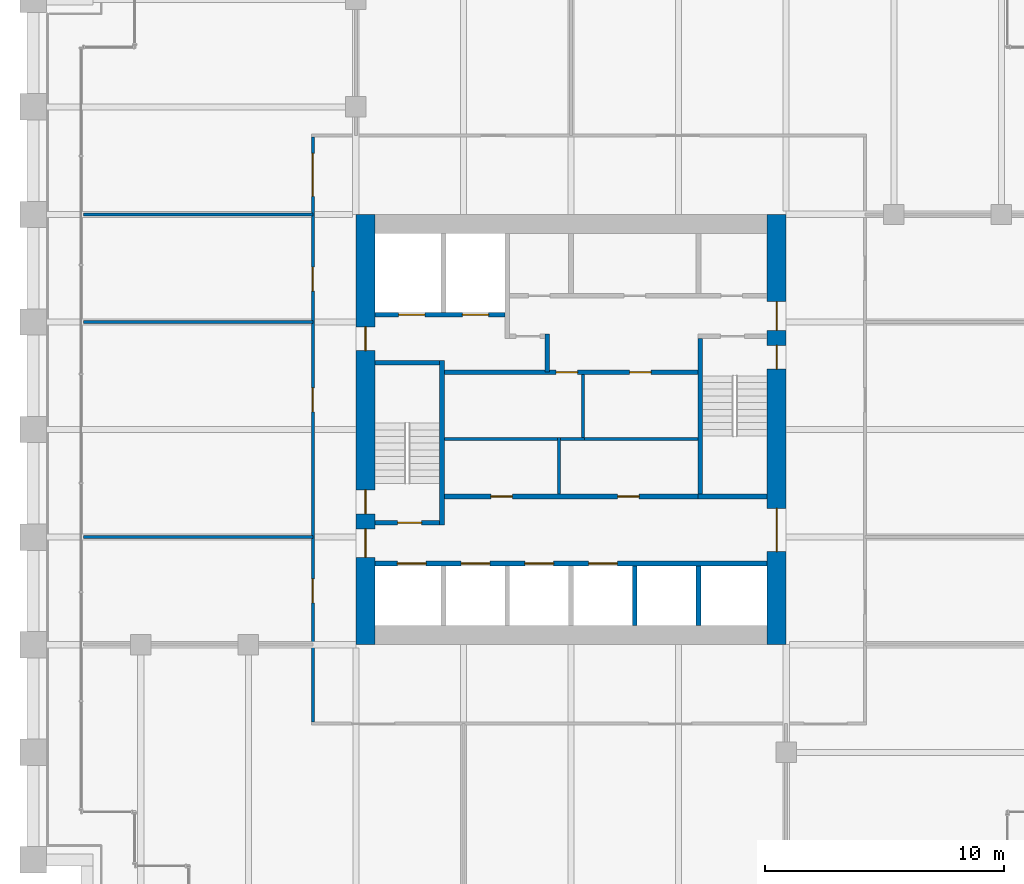
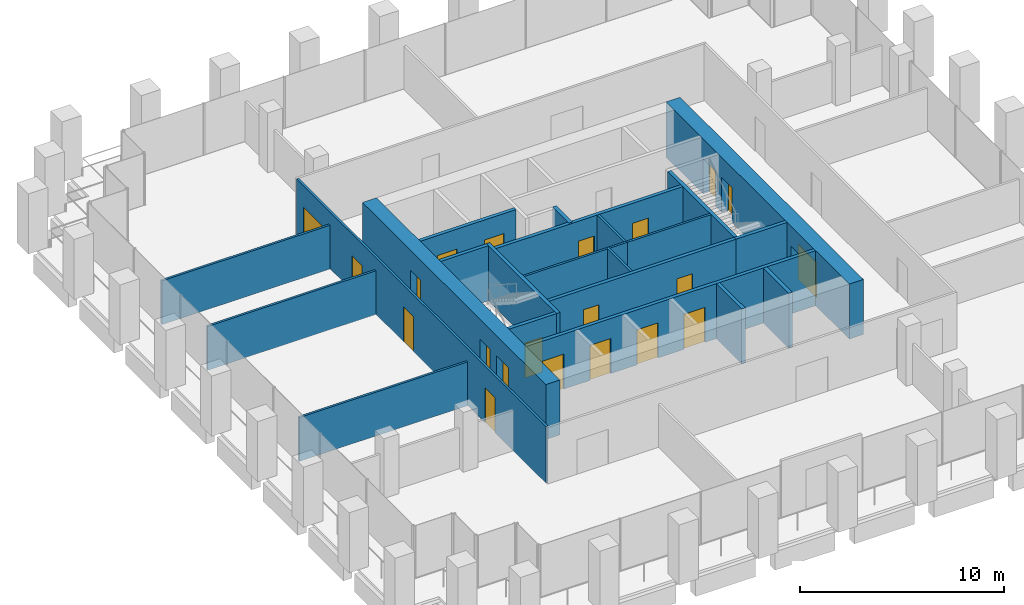
# One storey, part 50 of 56: 23 walls, 21 doors, 21 openings.
"""IFC4 building model written with IfcOpenShell, lengths in metres."""

from ifc_helpers import new_model, si_unit, direction, frame, frame_2d, origin, place, context, subcontext, project, spatial, rectangle, extrude, material, layer, layer_set, type_object, element, fill, save


model = new_model("IFC4")

# Units and contexts
model_context = context("Model", 3, precision=1e-05, world=origin(), true_north=direction((0.0, 1.0)))
body_context = subcontext(model_context, "Body", "Model", "MODEL_VIEW")
ifc_project = project(units=[si_unit("LENGTHUNIT", "METRE"), si_unit("AREAUNIT", "SQUARE_METRE"), si_unit("VOLUMEUNIT", "CUBIC_METRE"), si_unit("PLANEANGLEUNIT", "RADIAN"), si_unit("MASSUNIT", "GRAM", prefix="KILO")], contexts=[model_context])

# Site, building, storey
site_placement = place(None, origin())
site = spatial("IfcSite", under=ifc_project, at=site_placement, CompositionType="ELEMENT")
building_placement = place(site_placement, origin())
building = spatial("IfcBuilding", under=site, at=building_placement, Name="Altepetl Exchange Towers", CompositionType="ELEMENT")
storey_placement = place(building_placement, frame((0.0, 0.0, 83.39990234375)))
storey = spatial("IfcBuildingStorey", under=building, at=storey_placement, Name="L20", CompositionType="ELEMENT", Elevation=83.39990234375)

# Wall, openings, doors
ifc_material_1 = material(Name="Concrete C70/85", Category="concrete")
ifc_layer_1 = layer(ifc_material_1, 0.800048828125)
ifc_layer_set_1 = layer_set([ifc_layer_1], Name="Concrete C70/85")
wall_type_1 = type_object("IfcWallType", Name="Core wall 800 reinforced concrete", PredefinedType="SHEAR", material=ifc_layer_set_1)
wall_1_placement = place(storey_placement, frame((58.10009765625, 40.5, 0.0), z_axis=(0.0, 0.0, 1.0), x_axis=(0.0, 1.0, 0.0)))
wall_1 = element("IfcWall", 1, at=wall_1_placement, inside=storey, type_object=wall_type_1, Name="wall:A:L20:K-coreE", PredefinedType="SHEAR", context=body_context, shape_type="SweptSolid", body=[
    extrude(rectangle(XDim=18.0, YDim=0.800048828125, at=frame_2d((9.0, 0.0))), origin(), (0.0, 0.0, 1.0), 3.300048828125),
])
opening_1_placement = place(wall_1_placement, frame((13.14990234375, 0.0, 0.0)))
opening_1 = element("IfcOpeningElement", 2, at=opening_1_placement, cuts=wall_1, Name="Opening L20.A60", PredefinedType="OPENING", context=body_context, shape_type="SweptSolid", body=[
    extrude(rectangle(XDim=1.199951171875, YDim=2.10009765625, at=frame_2d((0.60009765625, 1.050048828125))), frame((0.0, 0.41015625, 0.0), z_axis=(0.0, -1.0, 0.0), x_axis=(1.0, 0.0, 0.0)), (0.0, 0.0, 1.0), 0.820068359375),
])
opening_2_placement = place(wall_1_placement, frame((3.89990234375, 0.0, 0.0)))
opening_2 = element("IfcOpeningElement", 3, at=opening_2_placement, cuts=wall_1, Name="Opening L20.A61", PredefinedType="OPENING", context=body_context, shape_type="SweptSolid", body=[
    extrude(rectangle(XDim=1.800048828125, YDim=2.10009765625, at=frame_2d((0.89990234375, 1.050048828125))), frame((0.0, 0.41015625, 0.0), z_axis=(0.0, -1.0, 0.0), x_axis=(1.0, 0.0, 0.0)), (0.0, 0.0, 1.0), 0.820068359375),
])
opening_3_placement = place(wall_1_placement, frame((11.52490234375, 0.0, 0.0)))
opening_3 = element("IfcOpeningElement", 4, at=opening_3_placement, cuts=wall_1, Name="Opening L20.A66", PredefinedType="OPENING", context=body_context, shape_type="SweptSolid", body=[
    extrude(rectangle(XDim=1.0, YDim=2.10009765625, at=frame_2d((0.5, 1.050048828125))), frame((0.0, 0.41015625, 0.0), z_axis=(0.0, -1.0, 0.0), x_axis=(1.0, 0.0, 0.0)), (0.0, 0.0, 1.0), 0.820068359375),
])
ifc_material_2 = material(Name="Steel and timber fire door", Category="steel")
door_type_1 = type_object("IfcDoorType", Name="Fire door 1000 x 2100 stair and lobby", OperationType="SINGLE_SWING_LEFT", PredefinedType="DOOR", material=ifc_material_2)
door_1_placement = place(opening_3_placement, origin())
door_1 = element("IfcDoor", 5, at=door_1_placement, inside=storey, type_object=door_type_1, Name="door:A:L20:K-dS2x", OperationType="SINGLE_SWING_RIGHT", OverallHeight=2.10009765625, OverallWidth=1.0, PredefinedType="DOOR", context=body_context, shape_type="SweptSolid", body=[
    extrude(rectangle(XDim=1.0, YDim=2.10009765625, at=frame_2d((0.5, 1.050048828125))), frame((0.0, 0.02490234375, 0.0), z_axis=(0.0, -1.0, 0.0), x_axis=(1.0, 0.0, 0.0)), (0.0, 0.0, 1.0), 0.050048828125),
])
fill(opening_3, door_1)
door_type_2 = type_object("IfcDoorType", Name="Fire door 1200 x 2100 lobby entry", OperationType="SINGLE_SWING_LEFT", PredefinedType="DOOR", material=ifc_material_2)
door_2_placement = place(opening_1_placement, origin())
door_2 = element("IfcDoor", 6, at=door_2_placement, inside=storey, type_object=door_type_2, Name="door:A:L20:K-dLNE", OperationType="SINGLE_SWING_RIGHT", OverallHeight=2.10009765625, OverallWidth=1.199951171875, PredefinedType="DOOR", context=body_context, shape_type="SweptSolid", body=[
    extrude(rectangle(XDim=1.199951171875, YDim=2.10009765625, at=frame_2d((0.60009765625, 1.050048828125))), frame((0.0, 0.02490234375, 0.0), z_axis=(0.0, -1.0, 0.0), x_axis=(1.0, 0.0, 0.0)), (0.0, 0.0, 1.0), 0.050048828125),
])
fill(opening_1, door_2)
door_type_3 = type_object("IfcDoorType", Name="Fire door 1800 x 2100 lobby entry", OperationType="DOUBLE_DOOR_SINGLE_SWING", PredefinedType="DOOR", material=ifc_material_2)
door_3_placement = place(opening_2_placement, origin())
door_3 = element("IfcDoor", 7, at=door_3_placement, inside=storey, type_object=door_type_3, Name="door:A:L20:K-dLSE", OperationType="DOUBLE_DOOR_SINGLE_SWING", OverallHeight=2.10009765625, OverallWidth=1.800048828125, PredefinedType="DOOR", context=body_context, shape_type="SweptSolid", body=[
    extrude(rectangle(XDim=1.800048828125, YDim=2.10009765625, at=frame_2d((0.89990234375, 1.050048828125))), frame((0.0, 0.02490234375, 0.0), z_axis=(0.0, -1.0, 0.0), x_axis=(1.0, 0.0, 0.0)), (0.0, 0.0, 1.0), 0.050048828125),
])
fill(opening_2, door_3)

wall_2_placement = place(storey_placement, frame((40.89990234375, 40.5, 0.0), z_axis=(0.0, 0.0, 1.0), x_axis=(0.0, 1.0, 0.0)))
wall_2 = element("IfcWall", 8, at=wall_2_placement, inside=storey, type_object=wall_type_1, Name="wall:A:L20:K-coreW", PredefinedType="SHEAR", context=body_context, shape_type="SweptSolid", body=[
    extrude(rectangle(XDim=18.0, YDim=0.800048828125, at=frame_2d((9.0, 0.0))), origin(), (0.0, 0.0, 1.0), 3.300048828125),
])
opening_4_placement = place(wall_2_placement, frame((3.64990234375, 0.0, 0.0)))
opening_4 = element("IfcOpeningElement", 9, at=opening_4_placement, cuts=wall_2, Name="Opening L20.A62", PredefinedType="OPENING", context=body_context, shape_type="SweptSolid", body=[
    extrude(rectangle(XDim=1.199951171875, YDim=2.10009765625, at=frame_2d((0.60009765625, 1.050048828125))), frame((0.0, 0.41015625, 0.0), z_axis=(0.0, -1.0, 0.0), x_axis=(1.0, 0.0, 0.0)), (0.0, 0.0, 1.0), 0.820068359375),
])
opening_5_placement = place(wall_2_placement, frame((5.47509765625, 0.0, 0.0)))
opening_5 = element("IfcOpeningElement", 10, at=opening_5_placement, cuts=wall_2, Name="Opening L20.A64", PredefinedType="OPENING", context=body_context, shape_type="SweptSolid", body=[
    extrude(rectangle(XDim=1.0, YDim=2.10009765625, at=frame_2d((0.5, 1.050048828125))), frame((0.0, 0.41015625, 0.0), z_axis=(0.0, -1.0, 0.0), x_axis=(1.0, 0.0, 0.0)), (0.0, 0.0, 1.0), 0.820068359375),
])
opening_6_placement = place(wall_2_placement, frame((12.300048828125, 0.0, 0.0)))
opening_6 = element("IfcOpeningElement", 11, at=opening_6_placement, cuts=wall_2, Name="Opening L20.A68", PredefinedType="OPENING", context=body_context, shape_type="SweptSolid", body=[
    extrude(rectangle(XDim=1.0, YDim=2.10009765625, at=frame_2d((0.5, 1.050048828125))), frame((0.0, 0.41015625, 0.0), z_axis=(0.0, -1.0, 0.0), x_axis=(1.0, 0.0, 0.0)), (0.0, 0.0, 1.0), 0.820068359375),
])
door_4_placement = place(opening_5_placement, frame((1.0, 0.0, 0.0), x_axis=(-1.0, 0.0, 0.0)))
door_4 = element("IfcDoor", 12, at=door_4_placement, inside=storey, type_object=door_type_1, Name="door:A:L20:K-dS1x", OperationType="SINGLE_SWING_RIGHT", OverallHeight=2.10009765625, OverallWidth=1.0, PredefinedType="DOOR", context=body_context, shape_type="SweptSolid", body=[
    extrude(rectangle(XDim=1.0, YDim=2.10009765625, at=frame_2d((0.5, 1.050048828125))), frame((0.0, 0.02490234375, 0.0), z_axis=(0.0, -1.0, 0.0), x_axis=(1.0, 0.0, 0.0)), (0.0, 0.0, 1.0), 0.050048828125),
])
fill(opening_5, door_4)
door_5_placement = place(opening_6_placement, frame((1.0, 0.0, 0.0), x_axis=(-1.0, 0.0, 0.0)))
door_5 = element("IfcDoor", 13, at=door_5_placement, inside=storey, type_object=door_type_1, Name="door:A:L20:K-dffW", OperationType="SINGLE_SWING_LEFT", OverallHeight=2.10009765625, OverallWidth=1.0, PredefinedType="DOOR", context=body_context, shape_type="SweptSolid", body=[
    extrude(rectangle(XDim=1.0, YDim=2.10009765625, at=frame_2d((0.5, 1.050048828125))), frame((0.0, 0.02490234375, 0.0), z_axis=(0.0, -1.0, 0.0), x_axis=(1.0, 0.0, 0.0)), (0.0, 0.0, 1.0), 0.050048828125),
])
fill(opening_6, door_5)
door_6_placement = place(opening_4_placement, frame((1.199951171875, 0.0, 0.0), x_axis=(-1.0, 0.0, 0.0)))
door_6 = element("IfcDoor", 14, at=door_6_placement, inside=storey, type_object=door_type_2, Name="door:A:L20:K-dLSW", OperationType="SINGLE_SWING_LEFT", OverallHeight=2.10009765625, OverallWidth=1.199951171875, PredefinedType="DOOR", context=body_context, shape_type="SweptSolid", body=[
    extrude(rectangle(XDim=1.199951171875, YDim=2.10009765625, at=frame_2d((0.60009765625, 1.050048828125))), frame((0.0, 0.02490234375, 0.0), z_axis=(0.0, -1.0, 0.0), x_axis=(1.0, 0.0, 0.0)), (0.0, 0.0, 1.0), 0.050048828125),
])
fill(opening_4, door_6)

# Wall
ifc_material_3 = material(Name="Concrete blockwork", Category="masonry")
ifc_layer_2 = layer(ifc_material_3, 0.199951171875)
ifc_layer_set_2 = layer_set([ifc_layer_2], Name="Concrete blockwork")
wall_type_2 = type_object("IfcWallType", Name="Lobby wall 200 blockwork", PredefinedType="PARTITIONING", material=ifc_layer_set_2)
wall_3_placement = place(storey_placement, frame((48.5, 51.89990234375, 0.0), z_axis=(0.0, 0.0, 1.0), x_axis=(0.0, 1.0, 0.0)))
element("IfcWall", 15, at=wall_3_placement, inside=storey, type_object=wall_type_2, Name="wall:A:L20:K-ffE", PredefinedType="PARTITIONING", context=body_context, shape_type="SweptSolid", body=[
    extrude(rectangle(XDim=1.60009765625, YDim=0.199951171875, at=frame_2d((0.800048828125, 0.0))), origin(), (0.0, 0.0, 1.0), 3.300048828125),
])

# Wall, openings, doors
wall_4_placement = place(storey_placement, frame((44.199951171875, 51.89990234375, 0.0)))
wall_4 = element("IfcWall", 16, at=wall_4_placement, inside=storey, type_object=wall_type_2, Name="wall:A:L20:K-zoneN", PredefinedType="PARTITIONING", context=body_context, shape_type="SweptSolid", body=[
    extrude(rectangle(XDim=10.60009765625, YDim=0.199951171875, at=frame_2d((5.300048828125, 0.0))), origin(), (0.0, 0.0, 1.0), 3.300048828125),
])
opening_7_placement = place(wall_4_placement, frame((4.675048828125, 0.0, 0.0)))
opening_7 = element("IfcOpeningElement", 17, at=opening_7_placement, cuts=wall_4, Name="Opening L20.A74", PredefinedType="OPENING", context=body_context, shape_type="SweptSolid", body=[
    extrude(rectangle(XDim=0.89990234375, YDim=2.10009765625, at=frame_2d((0.449951171875, 1.050048828125))), frame((0.0, 0.10986328125, 0.0), z_axis=(0.0, -1.0, 0.0), x_axis=(1.0, 0.0, 0.0)), (0.0, 0.0, 1.0), 0.219970703125),
])
opening_8_placement = place(wall_4_placement, frame((7.75, 0.0, 0.0)))
opening_8 = element("IfcOpeningElement", 18, at=opening_8_placement, cuts=wall_4, Name="Opening L20.A75", PredefinedType="OPENING", context=body_context, shape_type="SweptSolid", body=[
    extrude(rectangle(XDim=0.89990234375, YDim=2.10009765625, at=frame_2d((0.449951171875, 1.050048828125))), frame((0.0, 0.10986328125, 0.0), z_axis=(0.0, -1.0, 0.0), x_axis=(1.0, 0.0, 0.0)), (0.0, 0.0, 1.0), 0.219970703125),
])
door_type_4 = type_object("IfcDoorType", Name="Fire door 900 x 2100 service room", OperationType="SINGLE_SWING_LEFT", PredefinedType="DOOR", material=ifc_material_2)
door_7_placement = place(opening_7_placement, frame((0.89990234375, 0.0, 0.0), x_axis=(-1.0, 0.0, 0.0)))
door_7 = element("IfcDoor", 19, at=door_7_placement, inside=storey, type_object=door_type_4, Name="door:A:L20:K-dz3", OperationType="SINGLE_SWING_LEFT", OverallHeight=2.10009765625, OverallWidth=0.89990234375, PredefinedType="DOOR", context=body_context, shape_type="SweptSolid", body=[
    extrude(rectangle(XDim=0.89990234375, YDim=2.10009765625, at=frame_2d((0.449951171875, 1.050048828125))), frame((0.0, 0.02490234375, 0.0), z_axis=(0.0, -1.0, 0.0), x_axis=(1.0, 0.0, 0.0)), (0.0, 0.0, 1.0), 0.050048828125),
])
fill(opening_7, door_7)
door_8_placement = place(opening_8_placement, frame((0.89990234375, 0.0, 0.0), x_axis=(-1.0, 0.0, 0.0)))
door_8 = element("IfcDoor", 20, at=door_8_placement, inside=storey, type_object=door_type_4, Name="door:A:L20:K-dz4", OperationType="SINGLE_SWING_LEFT", OverallHeight=2.10009765625, OverallWidth=0.89990234375, PredefinedType="DOOR", context=body_context, shape_type="SweptSolid", body=[
    extrude(rectangle(XDim=0.89990234375, YDim=2.10009765625, at=frame_2d((0.449951171875, 1.050048828125))), frame((0.0, 0.02490234375, 0.0), z_axis=(0.0, -1.0, 0.0), x_axis=(1.0, 0.0, 0.0)), (0.0, 0.0, 1.0), 0.050048828125),
])
fill(opening_8, door_8)

wall_5_placement = place(storey_placement, frame((44.199951171875, 46.699951171875, 0.0)))
wall_5 = element("IfcWall", 21, at=wall_5_placement, inside=storey, type_object=wall_type_2, Name="wall:A:L20:K-zoneS", PredefinedType="PARTITIONING", context=body_context, shape_type="SweptSolid", body=[
    extrude(rectangle(XDim=10.60009765625, YDim=0.199951171875, at=frame_2d((5.300048828125, 0.0))), origin(), (0.0, 0.0, 1.0), 3.300048828125),
])
opening_9_placement = place(wall_5_placement, frame((1.949951171875, 0.0, 0.0)))
opening_9 = element("IfcOpeningElement", 22, at=opening_9_placement, cuts=wall_5, Name="Opening L20.A72", PredefinedType="OPENING", context=body_context, shape_type="SweptSolid", body=[
    extrude(rectangle(XDim=0.89990234375, YDim=2.10009765625, at=frame_2d((0.449951171875, 1.050048828125))), frame((0.0, 0.10986328125, 0.0), z_axis=(0.0, -1.0, 0.0), x_axis=(1.0, 0.0, 0.0)), (0.0, 0.0, 1.0), 0.219970703125),
])
opening_10_placement = place(wall_5_placement, frame((7.25, 0.0, 0.0)))
opening_10 = element("IfcOpeningElement", 23, at=opening_10_placement, cuts=wall_5, Name="Opening L20.A73", PredefinedType="OPENING", context=body_context, shape_type="SweptSolid", body=[
    extrude(rectangle(XDim=0.89990234375, YDim=2.10009765625, at=frame_2d((0.449951171875, 1.050048828125))), frame((0.0, 0.10986328125, 0.0), z_axis=(0.0, -1.0, 0.0), x_axis=(1.0, 0.0, 0.0)), (0.0, 0.0, 1.0), 0.219970703125),
])
door_9_placement = place(opening_9_placement, origin())
door_9 = element("IfcDoor", 24, at=door_9_placement, inside=storey, type_object=door_type_4, Name="door:A:L20:K-dz1", OperationType="SINGLE_SWING_LEFT", OverallHeight=2.10009765625, OverallWidth=0.89990234375, PredefinedType="DOOR", context=body_context, shape_type="SweptSolid", body=[
    extrude(rectangle(XDim=0.89990234375, YDim=2.10009765625, at=frame_2d((0.449951171875, 1.050048828125))), frame((0.0, 0.02490234375, 0.0), z_axis=(0.0, -1.0, 0.0), x_axis=(1.0, 0.0, 0.0)), (0.0, 0.0, 1.0), 0.050048828125),
])
fill(opening_9, door_9)
door_10_placement = place(opening_10_placement, origin())
door_10 = element("IfcDoor", 25, at=door_10_placement, inside=storey, type_object=door_type_4, Name="door:A:L20:K-dz2", OperationType="SINGLE_SWING_RIGHT", OverallHeight=2.10009765625, OverallWidth=0.89990234375, PredefinedType="DOOR", context=body_context, shape_type="SweptSolid", body=[
    extrude(rectangle(XDim=0.89990234375, YDim=2.10009765625, at=frame_2d((0.449951171875, 1.050048828125))), frame((0.0, 0.02490234375, 0.0), z_axis=(0.0, -1.0, 0.0), x_axis=(1.0, 0.0, 0.0)), (0.0, 0.0, 1.0), 0.050048828125),
])
fill(opening_10, door_10)

# Walls
ifc_material_4 = material(Name="Gypsum board on steel studs", Category="steel")
ifc_layer_3 = layer(ifc_material_4, 0.125)
ifc_layer_set_3 = layer_set([ifc_layer_3], Name="Gypsum board on steel studs")
wall_type_3 = type_object("IfcWallType", Name="Partition 125 gypsum board on steel studs", PredefinedType="PARTITIONING", material=ifc_layer_set_3)
wall_6_placement = place(storey_placement, frame((49.0, 46.800048828125, 0.0), z_axis=(0.0, 0.0, 1.0), x_axis=(0.0, 1.0, 0.0)))
element("IfcWall", 26, at=wall_6_placement, inside=storey, type_object=wall_type_3, Name="wall:A:L20:K-zp1", PredefinedType="PARTITIONING", context=body_context, shape_type="SweptSolid", body=[
    extrude(rectangle(XDim=2.362548828125, YDim=0.125, at=frame_2d((1.18115234375, 0.0))), origin(), (0.0, 0.0, 1.0), 3.300048828125),
])
wall_7_placement = place(storey_placement, frame((49.0, 49.10009765625, 0.0), z_axis=(0.0, 0.0, 1.0), x_axis=(-1.0, 0.0, 0.0)))
element("IfcWall", 27, at=wall_7_placement, inside=storey, type_object=wall_type_3, Name="wall:A:L20:K-zp2", PredefinedType="PARTITIONING", context=body_context, shape_type="SweptSolid", body=[
    extrude(rectangle(XDim=4.800048828125, YDim=0.125, at=frame_2d((2.39990234375, 0.0))), origin(), (0.0, 0.0, 1.0), 3.300048828125),
])
wall_8_placement = place(storey_placement, frame((50.0625, 49.10009765625, 0.0), z_axis=(0.0, 0.0, 1.0), x_axis=(-1.0, 0.0, 0.0)))
element("IfcWall", 28, at=wall_8_placement, inside=storey, type_object=wall_type_3, Name="wall:A:L20:K-zp3", PredefinedType="PARTITIONING", context=body_context, shape_type="SweptSolid", body=[
    extrude(rectangle(XDim=1.0, YDim=0.125, at=frame_2d((0.5, 0.0))), origin(), (0.0, 0.0, 1.0), 3.300048828125),
])
wall_9_placement = place(storey_placement, frame((54.800048828125, 49.10009765625, 0.0), z_axis=(0.0, 0.0, 1.0), x_axis=(-1.0, 0.0, 0.0)))
element("IfcWall", 29, at=wall_9_placement, inside=storey, type_object=wall_type_3, Name="wall:A:L20:K-zp4", PredefinedType="PARTITIONING", context=body_context, shape_type="SweptSolid", body=[
    extrude(rectangle(XDim=4.800048828125, YDim=0.125, at=frame_2d((2.39990234375, 0.0))), origin(), (0.0, 0.0, 1.0), 3.300048828125),
])
wall_10_placement = place(storey_placement, frame((50.0, 49.16259765625, 0.0), z_axis=(0.0, 0.0, 1.0), x_axis=(0.0, 1.0, 0.0)))
element("IfcWall", 30, at=wall_10_placement, inside=storey, type_object=wall_type_3, Name="wall:A:L20:K-zp5", PredefinedType="PARTITIONING", context=body_context, shape_type="SweptSolid", body=[
    extrude(rectangle(XDim=2.637451171875, YDim=0.125, at=frame_2d((1.31884765625, 0.0))), origin(), (0.0, 0.0, 1.0), 3.300048828125),
])
for number, where, name in (
    (31, (29.10009765625, 45.0, 0.0), "wall:A:L20:P06"),
    (32, (29.10009765625, 54.0, 0.0), "wall:A:L20:P08"),
    (33, (29.10009765625, 58.5, 0.0), "wall:A:L20:P10"),
):
    element("IfcWall", number, at=place(storey_placement, frame(where)), inside=storey, type_object=wall_type_3, Name=name, PredefinedType="PARTITIONING", context=body_context, shape_type="SweptSolid", body=[
        extrude(rectangle(XDim=9.599853515625, YDim=0.125, at=frame_2d((4.7998046875, 0.0))), origin(), (0.0, 0.0, 1.0), 2.6259765625),
    ])

# Wall, openings, doors
wall_11_placement = place(storey_placement, frame((38.699951171875, 37.262451171875, 0.0), z_axis=(0.0, 0.0, 1.0), x_axis=(0.0, 1.0, 0.0)))
wall_11 = element("IfcWall", 34, at=wall_11_placement, inside=storey, type_object=wall_type_3, Name="wall:A:L20:P15", PredefinedType="PARTITIONING", context=body_context, shape_type="SweptSolid", body=[
    extrude(rectangle(XDim=24.47509765625, YDim=0.125, at=frame_2d((12.237548828125, 0.0))), origin(), (0.0, 0.0, 1.0), 3.400146484375),
])
opening_11_placement = place(wall_11_placement, frame((4.987548828125, 0.0, 0.0)))
opening_11 = element("IfcOpeningElement", 35, at=opening_11_placement, cuts=wall_11, Name="Opening L20.A01", PredefinedType="OPENING", context=body_context, shape_type="SweptSolid", body=[
    extrude(rectangle(XDim=1.0, YDim=2.10009765625, at=frame_2d((0.5, 1.050048828125))), frame((0.0, 0.072509765625, 0.0), z_axis=(0.0, -1.0, 0.0), x_axis=(1.0, 0.0, 0.0)), (0.0, 0.0, 1.0), 0.14501953125),
])
opening_12_placement = place(wall_11_placement, frame((21.987548828125, 0.0, 0.0)))
opening_12 = element("IfcOpeningElement", 36, at=opening_12_placement, cuts=wall_11, Name="Opening L20.A10", PredefinedType="OPENING", context=body_context, shape_type="SweptSolid", body=[
    extrude(rectangle(XDim=1.800048828125, YDim=2.10009765625, at=frame_2d((0.89990234375, 1.050048828125))), frame((0.0, 0.072509765625, 0.0), z_axis=(0.0, -1.0, 0.0), x_axis=(1.0, 0.0, 0.0)), (0.0, 0.0, 1.0), 0.14501953125),
])
opening_13_placement = place(wall_11_placement, frame((18.032470703125, 0.0, 0.0)))
opening_13 = element("IfcOpeningElement", 37, at=opening_13_placement, cuts=wall_11, Name="Opening L20.A11", PredefinedType="OPENING", context=body_context, shape_type="SweptSolid", body=[
    extrude(rectangle(XDim=1.0, YDim=2.10009765625, at=frame_2d((0.5, 1.050048828125))), frame((0.0, 0.072509765625, 0.0), z_axis=(0.0, -1.0, 0.0), x_axis=(1.0, 0.0, 0.0)), (0.0, 0.0, 1.0), 0.14501953125),
])
opening_14_placement = place(wall_11_placement, frame((12.9794921875, 0.0, 0.0)))
opening_14 = element("IfcOpeningElement", 38, at=opening_14_placement, cuts=wall_11, Name="Opening L20.A12", PredefinedType="OPENING", context=body_context, shape_type="SweptSolid", body=[
    extrude(rectangle(XDim=1.0, YDim=2.10009765625, at=frame_2d((0.5, 1.050048828125))), frame((0.0, 0.072509765625, 0.0), z_axis=(0.0, -1.0, 0.0), x_axis=(1.0, 0.0, 0.0)), (0.0, 0.0, 1.0), 0.14501953125),
])
door_type_5 = type_object("IfcDoorType", Name="Fire door 1000 x 2100 single leaf", OperationType="SINGLE_SWING_LEFT", PredefinedType="DOOR", material=ifc_material_2)
door_11_placement = place(opening_11_placement, origin())
door_11 = element("IfcDoor", 39, at=door_11_placement, inside=storey, type_object=door_type_5, Name="door:A:L20:01", OperationType="SINGLE_SWING_RIGHT", OverallHeight=2.10009765625, OverallWidth=1.0, PredefinedType="DOOR", context=body_context, shape_type="SweptSolid", body=[
    extrude(rectangle(XDim=1.0, YDim=2.10009765625, at=frame_2d((0.5, 1.050048828125))), frame((0.0, 0.02490234375, 0.0), z_axis=(0.0, -1.0, 0.0), x_axis=(1.0, 0.0, 0.0)), (0.0, 0.0, 1.0), 0.050048828125),
])
fill(opening_11, door_11)
door_12_placement = place(opening_13_placement, origin())
door_12 = element("IfcDoor", 40, at=door_12_placement, inside=storey, type_object=door_type_5, Name="door:A:L20:11", OperationType="SINGLE_SWING_RIGHT", OverallHeight=2.10009765625, OverallWidth=1.0, PredefinedType="DOOR", context=body_context, shape_type="SweptSolid", body=[
    extrude(rectangle(XDim=1.0, YDim=2.10009765625, at=frame_2d((0.5, 1.050048828125))), frame((0.0, 0.02490234375, 0.0), z_axis=(0.0, -1.0, 0.0), x_axis=(1.0, 0.0, 0.0)), (0.0, 0.0, 1.0), 0.050048828125),
])
fill(opening_13, door_12)
door_13_placement = place(opening_14_placement, origin())
door_13 = element("IfcDoor", 41, at=door_13_placement, inside=storey, type_object=door_type_5, Name="door:A:L20:12", OperationType="SINGLE_SWING_RIGHT", OverallHeight=2.10009765625, OverallWidth=1.0, PredefinedType="DOOR", context=body_context, shape_type="SweptSolid", body=[
    extrude(rectangle(XDim=1.0, YDim=2.10009765625, at=frame_2d((0.5, 1.050048828125))), frame((0.0, 0.02490234375, 0.0), z_axis=(0.0, -1.0, 0.0), x_axis=(1.0, 0.0, 0.0)), (0.0, 0.0, 1.0), 0.050048828125),
])
fill(opening_14, door_13)
door_type_6 = type_object("IfcDoorType", Name="Fire door 1800 x 2100 double leaf", OperationType="DOUBLE_DOOR_SINGLE_SWING", PredefinedType="DOOR", material=ifc_material_2)
door_14_placement = place(opening_12_placement, origin())
door_14 = element("IfcDoor", 42, at=door_14_placement, inside=storey, type_object=door_type_6, Name="door:A:L20:10", OperationType="DOUBLE_DOOR_SINGLE_SWING", OverallHeight=2.10009765625, OverallWidth=1.800048828125, PredefinedType="DOOR", context=body_context, shape_type="SweptSolid", body=[
    extrude(rectangle(XDim=1.800048828125, YDim=2.10009765625, at=frame_2d((0.89990234375, 1.050048828125))), frame((0.0, 0.02490234375, 0.0), z_axis=(0.0, -1.0, 0.0), x_axis=(1.0, 0.0, 0.0)), (0.0, 0.0, 1.0), 0.050048828125),
])
fill(opening_12, door_14)

# Walls
ifc_material_5 = material(Name="Concrete C40/50", Category="concrete")
ifc_layer_4 = layer(ifc_material_5, 0.199951171875)
ifc_layer_set_4 = layer_set([ifc_layer_4], Name="Concrete C40/50")
wall_type_4 = type_object("IfcWallType", Name="Shaft wall 200 reinforced concrete", PredefinedType="SHEAR", material=ifc_layer_set_4)
for number, where, z_axis, x_axis, name in (
    (43, (52.166748046875, 41.300048828125, 0.0), (0.0, 0.0, 1.0), (0.0, 1.0, 0.0), "wall:A:L20:K-divS4"),
    (44, (54.833251953125, 41.300048828125, 0.0), (0.0, 0.0, 1.0), (0.0, 1.0, 0.0), "wall:A:L20:K-divS5"),
):
    element("IfcWall", number, at=place(storey_placement, frame(where, z_axis=z_axis, x_axis=x_axis)), inside=storey, type_object=wall_type_4, Name=name, PredefinedType="SHEAR", context=body_context, shape_type="SweptSolid", body=[
        extrude(rectangle(XDim=2.5, YDim=0.199951171875, at=frame_2d((1.25, 0.0))), origin(), (0.0, 0.0, 1.0), 3.300048828125),
    ])

# Wall, openings, doors
wall_12_placement = place(storey_placement, frame((41.300048828125, 54.300048828125, 0.0)))
wall_12 = element("IfcWall", 45, at=wall_12_placement, inside=storey, type_object=wall_type_4, Name="wall:A:L20:K-frontNd", PredefinedType="SHEAR", context=body_context, shape_type="SweptSolid", body=[
    extrude(rectangle(XDim=5.433349609375, YDim=0.199951171875, at=frame_2d((2.716796875, 0.0))), origin(), (0.0, 0.0, 1.0), 3.300048828125),
])
opening_15_placement = place(wall_12_placement, frame((0.9833984375, 0.0, 0.0)))
opening_15 = element("IfcOpeningElement", 46, at=opening_15_placement, cuts=wall_12, Name="Opening L20.A76", PredefinedType="OPENING", context=body_context, shape_type="SweptSolid", body=[
    extrude(rectangle(XDim=1.10009765625, YDim=2.10009765625, at=frame_2d((0.550048828125, 1.050048828125))), frame((0.0, 0.10986328125, 0.0), z_axis=(0.0, -1.0, 0.0), x_axis=(1.0, 0.0, 0.0)), (0.0, 0.0, 1.0), 0.219970703125),
])
opening_16_placement = place(wall_12_placement, frame((3.64990234375, 0.0, 0.0)))
opening_16 = element("IfcOpeningElement", 47, at=opening_16_placement, cuts=wall_12, Name="Opening L20.A77", PredefinedType="OPENING", context=body_context, shape_type="SweptSolid", body=[
    extrude(rectangle(XDim=1.10009765625, YDim=2.10009765625, at=frame_2d((0.550048828125, 1.050048828125))), frame((0.0, 0.10986328125, 0.0), z_axis=(0.0, -1.0, 0.0), x_axis=(1.0, 0.0, 0.0)), (0.0, 0.0, 1.0), 0.219970703125),
])
ifc_material_6 = material(Name="Stainless steel", Category="steel")
door_type_7 = type_object("IfcDoorType", Name="Lift landing door 1100 x 2100", OperationType="SLIDING_TO_LEFT", PredefinedType="DOOR", material=ifc_material_6)
door_15_placement = place(opening_15_placement, origin())
door_15 = element("IfcDoor", 48, at=door_15_placement, inside=storey, type_object=door_type_7, Name="Landing door FFL1", OperationType="SLIDING_TO_LEFT", OverallHeight=2.10009765625, OverallWidth=1.10009765625, PredefinedType="DOOR", context=body_context, shape_type="SweptSolid", body=[
    extrude(rectangle(XDim=1.10009765625, YDim=2.10009765625, at=frame_2d((0.550048828125, 1.050048828125))), frame((0.0, 0.02490234375, 0.0), z_axis=(0.0, -1.0, 0.0), x_axis=(1.0, 0.0, 0.0)), (0.0, 0.0, 1.0), 0.050048828125),
])
fill(opening_15, door_15)
door_16_placement = place(opening_16_placement, origin())
door_16 = element("IfcDoor", 49, at=door_16_placement, inside=storey, type_object=door_type_7, Name="Landing door FFL2", OperationType="SLIDING_TO_LEFT", OverallHeight=2.10009765625, OverallWidth=1.10009765625, PredefinedType="DOOR", context=body_context, shape_type="SweptSolid", body=[
    extrude(rectangle(XDim=1.10009765625, YDim=2.10009765625, at=frame_2d((0.550048828125, 1.050048828125))), frame((0.0, 0.02490234375, 0.0), z_axis=(0.0, -1.0, 0.0), x_axis=(1.0, 0.0, 0.0)), (0.0, 0.0, 1.0), 0.050048828125),
])
fill(opening_16, door_16)

wall_13_placement = place(storey_placement, frame((41.300048828125, 43.89990234375, 0.0)))
wall_13 = element("IfcWall", 50, at=wall_13_placement, inside=storey, type_object=wall_type_4, Name="wall:A:L20:K-frontS", PredefinedType="SHEAR", context=body_context, shape_type="SweptSolid", body=[
    extrude(rectangle(XDim=16.39990234375, YDim=0.199951171875, at=frame_2d((8.199951171875, 0.0))), origin(), (0.0, 0.0, 1.0), 3.300048828125),
])
opening_17_placement = place(wall_13_placement, frame((0.933349609375, 0.0, 0.0)))
opening_17 = element("IfcOpeningElement", 51, at=opening_17_placement, cuts=wall_13, Name="Opening L20.A78", PredefinedType="OPENING", context=body_context, shape_type="SweptSolid", body=[
    extrude(rectangle(XDim=1.199951171875, YDim=2.10009765625, at=frame_2d((0.60009765625, 1.050048828125))), frame((0.0, 0.10986328125, 0.0), z_axis=(0.0, -1.0, 0.0), x_axis=(1.0, 0.0, 0.0)), (0.0, 0.0, 1.0), 0.219970703125),
])
opening_18_placement = place(wall_13_placement, frame((3.60009765625, 0.0, 0.0)))
opening_18 = element("IfcOpeningElement", 52, at=opening_18_placement, cuts=wall_13, Name="Opening L20.A79", PredefinedType="OPENING", context=body_context, shape_type="SweptSolid", body=[
    extrude(rectangle(XDim=1.199951171875, YDim=2.10009765625, at=frame_2d((0.60009765625, 1.050048828125))), frame((0.0, 0.10986328125, 0.0), z_axis=(0.0, -1.0, 0.0), x_axis=(1.0, 0.0, 0.0)), (0.0, 0.0, 1.0), 0.219970703125),
])
opening_19_placement = place(wall_13_placement, frame((6.2666015625, 0.0, 0.0)))
opening_19 = element("IfcOpeningElement", 53, at=opening_19_placement, cuts=wall_13, Name="Opening L20.A80", PredefinedType="OPENING", context=body_context, shape_type="SweptSolid", body=[
    extrude(rectangle(XDim=1.199951171875, YDim=2.10009765625, at=frame_2d((0.60009765625, 1.050048828125))), frame((0.0, 0.10986328125, 0.0), z_axis=(0.0, -1.0, 0.0), x_axis=(1.0, 0.0, 0.0)), (0.0, 0.0, 1.0), 0.219970703125),
])
opening_20_placement = place(wall_13_placement, frame((8.933349609375, 0.0, 0.0)))
opening_20 = element("IfcOpeningElement", 54, at=opening_20_placement, cuts=wall_13, Name="Opening L20.A81", PredefinedType="OPENING", context=body_context, shape_type="SweptSolid", body=[
    extrude(rectangle(XDim=1.199951171875, YDim=2.10009765625, at=frame_2d((0.60009765625, 1.050048828125))), frame((0.0, 0.10986328125, 0.0), z_axis=(0.0, -1.0, 0.0), x_axis=(1.0, 0.0, 0.0)), (0.0, 0.0, 1.0), 0.219970703125),
])
door_type_8 = type_object("IfcDoorType", Name="Lift landing door 1200 x 2100", OperationType="SLIDING_TO_LEFT", PredefinedType="DOOR", material=ifc_material_6)
door_17_placement = place(opening_17_placement, origin())
door_17 = element("IfcDoor", 55, at=door_17_placement, inside=storey, type_object=door_type_8, Name="Landing door P1", OperationType="SLIDING_TO_LEFT", OverallHeight=2.10009765625, OverallWidth=1.199951171875, PredefinedType="DOOR", context=body_context, shape_type="SweptSolid", body=[
    extrude(rectangle(XDim=1.199951171875, YDim=2.10009765625, at=frame_2d((0.60009765625, 1.050048828125))), frame((0.0, 0.02490234375, 0.0), z_axis=(0.0, -1.0, 0.0), x_axis=(1.0, 0.0, 0.0)), (0.0, 0.0, 1.0), 0.050048828125),
])
fill(opening_17, door_17)
door_18_placement = place(opening_18_placement, origin())
door_18 = element("IfcDoor", 56, at=door_18_placement, inside=storey, type_object=door_type_8, Name="Landing door P2", OperationType="SLIDING_TO_LEFT", OverallHeight=2.10009765625, OverallWidth=1.199951171875, PredefinedType="DOOR", context=body_context, shape_type="SweptSolid", body=[
    extrude(rectangle(XDim=1.199951171875, YDim=2.10009765625, at=frame_2d((0.60009765625, 1.050048828125))), frame((0.0, 0.02490234375, 0.0), z_axis=(0.0, -1.0, 0.0), x_axis=(1.0, 0.0, 0.0)), (0.0, 0.0, 1.0), 0.050048828125),
])
fill(opening_18, door_18)
door_19_placement = place(opening_19_placement, origin())
door_19 = element("IfcDoor", 57, at=door_19_placement, inside=storey, type_object=door_type_8, Name="Landing door P3", OperationType="SLIDING_TO_LEFT", OverallHeight=2.10009765625, OverallWidth=1.199951171875, PredefinedType="DOOR", context=body_context, shape_type="SweptSolid", body=[
    extrude(rectangle(XDim=1.199951171875, YDim=2.10009765625, at=frame_2d((0.60009765625, 1.050048828125))), frame((0.0, 0.02490234375, 0.0), z_axis=(0.0, -1.0, 0.0), x_axis=(1.0, 0.0, 0.0)), (0.0, 0.0, 1.0), 0.050048828125),
])
fill(opening_19, door_19)
door_20_placement = place(opening_20_placement, origin())
door_20 = element("IfcDoor", 58, at=door_20_placement, inside=storey, type_object=door_type_8, Name="Landing door P4", OperationType="SLIDING_TO_LEFT", OverallHeight=2.10009765625, OverallWidth=1.199951171875, PredefinedType="DOOR", context=body_context, shape_type="SweptSolid", body=[
    extrude(rectangle(XDim=1.199951171875, YDim=2.10009765625, at=frame_2d((0.60009765625, 1.050048828125))), frame((0.0, 0.02490234375, 0.0), z_axis=(0.0, -1.0, 0.0), x_axis=(1.0, 0.0, 0.0)), (0.0, 0.0, 1.0), 0.050048828125),
])
fill(opening_20, door_20)

# Walls
ifc_layer_5 = layer(ifc_material_5, 0.199951171875)
ifc_layer_set_5 = layer_set([ifc_layer_5], Name="Concrete C40/50")
wall_type_5 = type_object("IfcWallType", Name="Stair wall 200 reinforced concrete", PredefinedType="SHEAR", material=ifc_layer_set_5)
wall_14_placement = place(storey_placement, frame((44.10009765625, 45.5, 0.0), z_axis=(0.0, 0.0, 1.0), x_axis=(0.0, 1.0, 0.0)))
element("IfcWall", 59, at=wall_14_placement, inside=storey, type_object=wall_type_5, Name="wall:A:L20:K-stS1E", PredefinedType="SHEAR", context=body_context, shape_type="SweptSolid", body=[
    extrude(rectangle(XDim=6.89990234375, YDim=0.199951171875, at=frame_2d((3.449951171875, 0.0))), origin(), (0.0, 0.0, 1.0), 3.300048828125),
])
wall_15_placement = place(storey_placement, frame((41.300048828125, 52.300048828125, 0.0)))
element("IfcWall", 60, at=wall_15_placement, inside=storey, type_object=wall_type_5, Name="wall:A:L20:K-stS1N", PredefinedType="SHEAR", context=body_context, shape_type="SweptSolid", body=[
    extrude(rectangle(XDim=2.699951171875, YDim=0.199951171875, at=frame_2d((1.35009765625, 0.0))), origin(), (0.0, 0.0, 1.0), 3.300048828125),
])

# Wall, opening, door
wall_16_placement = place(storey_placement, frame((41.300048828125, 45.60009765625, 0.0)))
wall_16 = element("IfcWall", 61, at=wall_16_placement, inside=storey, type_object=wall_type_5, Name="wall:A:L20:K-stS1S", PredefinedType="SHEAR", context=body_context, shape_type="SweptSolid", body=[
    extrude(rectangle(XDim=2.699951171875, YDim=0.199951171875, at=frame_2d((1.35009765625, 0.0))), origin(), (0.0, 0.0, 1.0), 3.300048828125),
])
opening_21_placement = place(wall_16_placement, frame((0.949951171875, 0.0, 0.0)))
opening_21 = element("IfcOpeningElement", 62, at=opening_21_placement, cuts=wall_16, Name="Opening L20.A63", PredefinedType="OPENING", context=body_context, shape_type="SweptSolid", body=[
    extrude(rectangle(XDim=1.0, YDim=2.10009765625, at=frame_2d((0.5, 1.050048828125))), frame((0.0, 0.10986328125, 0.0), z_axis=(0.0, -1.0, 0.0), x_axis=(1.0, 0.0, 0.0)), (0.0, 0.0, 1.0), 0.219970703125),
])
door_21_placement = place(opening_21_placement, origin())
door_21 = element("IfcDoor", 63, at=door_21_placement, inside=storey, type_object=door_type_1, Name="door:A:L20:K-dS1in", OperationType="SINGLE_SWING_RIGHT", OverallHeight=2.10009765625, OverallWidth=1.0, PredefinedType="DOOR", context=body_context, shape_type="SweptSolid", body=[
    extrude(rectangle(XDim=1.0, YDim=2.10009765625, at=frame_2d((0.5, 1.050048828125))), frame((0.0, 0.02490234375, 0.0), z_axis=(0.0, -1.0, 0.0), x_axis=(1.0, 0.0, 0.0)), (0.0, 0.0, 1.0), 0.050048828125),
])
fill(opening_21, door_21)

# Walls
wall_17_placement = place(storey_placement, frame((54.800048828125, 46.699951171875, 0.0)))
element("IfcWall", 64, at=wall_17_placement, inside=storey, type_object=wall_type_5, Name="wall:A:L20:K-stS2S", PredefinedType="SHEAR", context=body_context, shape_type="SweptSolid", body=[
    extrude(rectangle(XDim=2.89990234375, YDim=0.199951171875, at=frame_2d((1.449951171875, 0.0))), origin(), (0.0, 0.0, 1.0), 3.300048828125),
])
wall_18_placement = place(storey_placement, frame((54.89990234375, 46.800048828125, 0.0), z_axis=(0.0, 0.0, 1.0), x_axis=(0.0, 1.0, 0.0)))
element("IfcWall", 65, at=wall_18_placement, inside=storey, type_object=wall_type_5, Name="wall:A:L20:K-stS2W", PredefinedType="SHEAR", context=body_context, shape_type="SweptSolid", body=[
    extrude(rectangle(XDim=6.5, YDim=0.199951171875, at=frame_2d((3.25, 0.0))), origin(), (0.0, 0.0, 1.0), 3.300048828125),
])

save(model, "model.ifc")
